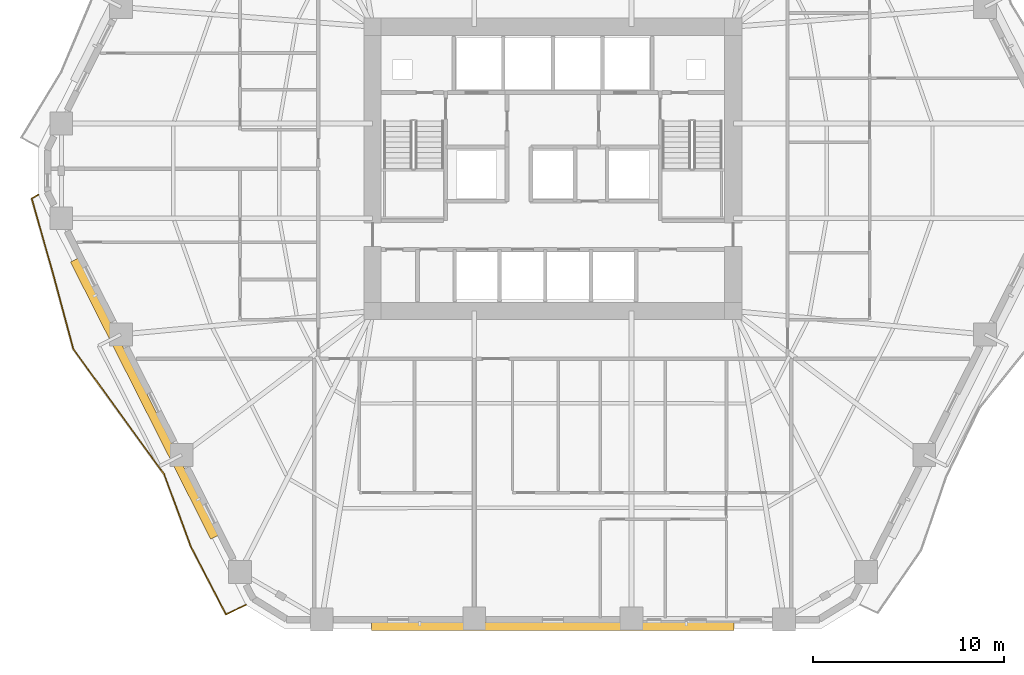
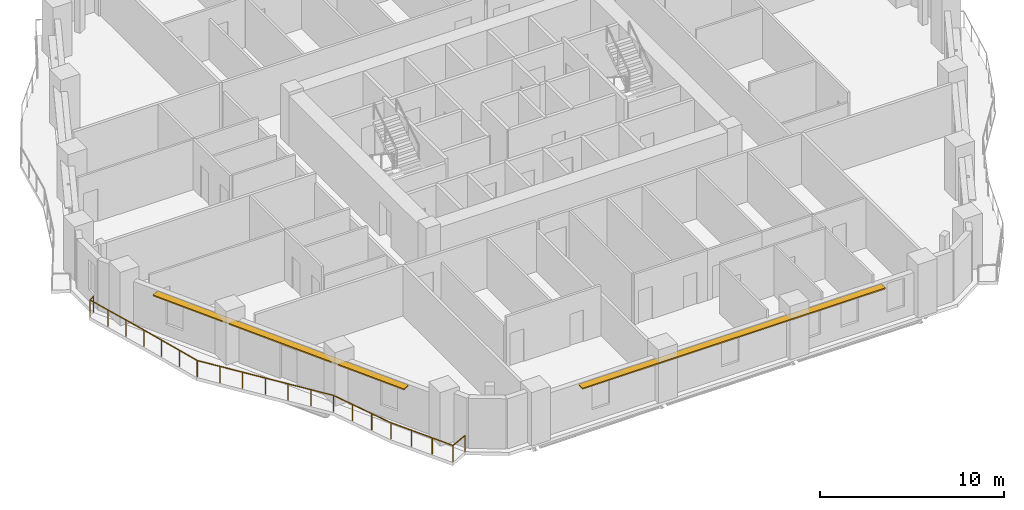
# One storey, part 11 of 14: 2 shading devices, 1 railing.
"""IFC4 building model written with IfcOpenShell, lengths in metres."""

from ifc_helpers import new_model, si_unit, direction, frame, origin, origin_2d, place, context, subcontext, project, spatial, rectangle, extrude, material, layer, layer_set, type_object, element, save


model = new_model("IFC4")

# Units and contexts
model_context = context("Model", 3, precision=1e-05, world=origin(), true_north=direction((0.0, 1.0)))
body_context = subcontext(model_context, "Body", "Model", "MODEL_VIEW")
ifc_project = project(units=[si_unit("LENGTHUNIT", "METRE"), si_unit("AREAUNIT", "SQUARE_METRE"), si_unit("VOLUMEUNIT", "CUBIC_METRE"), si_unit("PLANEANGLEUNIT", "RADIAN"), si_unit("MASSUNIT", "GRAM", prefix="KILO")], contexts=[model_context])

# Site, building, storey
site_placement = place(None, origin())
site = spatial("IfcSite", under=ifc_project, at=site_placement, CompositionType="ELEMENT")
building_placement = place(site_placement, origin())
building = spatial("IfcBuilding", under=site, at=building_placement, Name="Cinnabar Lancet Tower", CompositionType="ELEMENT")
storey_placement = place(building_placement, frame((0.0, 0.0, 35.550048828125)))
storey = spatial("IfcBuildingStorey", under=building, at=storey_placement, Name="L08", CompositionType="ELEMENT", Elevation=35.550048828125)

# Railing
ifc_material_1 = material(Name="Laminated safety glass and bronze stainless steel balustrade", Category="steel")
railing_type = type_object("IfcRailingType", Name="ENV-RLG-BAL-1100", PredefinedType="BALUSTRADE", material=ifc_material_1)
railing_placement = place(storey_placement, frame((5.431884765625, 24.551025390625, 0.0)))
element("IfcRailing", 1, at=railing_placement, inside=storey, type_object=railing_type, Name="L08 Face 6 Wave Balcony Balustrade", PredefinedType="BALUSTRADE", context=body_context, shape_type="SweptSolid", body=[
    extrude(rectangle(XDim=0.048095703125, YDim=0.048095703125, at=origin_2d()), frame((0.0, 0.0, 1.076171875), z_axis=(-0.858921552949, -0.512107182024, 0.0), x_axis=(0.512107182024, -0.858921552949, 0.0)), (0.0, 0.0, 1.0), 0.40625),
    extrude(rectangle(XDim=0.048095703125, YDim=0.048095703125, at=origin_2d()), frame((-0.348876953125, -0.2080078125, 1.076171875), z_axis=(0.272911680282, -0.962039092119, 0.0), x_axis=(0.962039092119, 0.272911680282, 0.0)), (0.0, 0.0, 1.0), 4.08203125),
    extrude(rectangle(XDim=0.048095703125, YDim=0.048095703125, at=origin_2d()), frame((0.76513671875, -4.135009765625, 1.076171875), z_axis=(0.260031247645, -0.965600202075, 0.0), x_axis=(0.965600202075, 0.260031247645, 0.0)), (0.0, 0.0, 1.0), 4.091796875),
    extrude(rectangle(XDim=0.048095703125, YDim=0.048095703125, at=origin_2d()), frame((1.8291015625, -8.0859375, 1.076171875), z_axis=(0.585648802913, -0.8105649139, 0.0), x_axis=(0.8105649139, 0.585648802913, 0.0)), (0.0, 0.0, 1.0), 4.055419921875),
    extrude(rectangle(XDim=0.048095703125, YDim=0.048095703125, at=origin_2d()), frame((4.2041015625, -11.373046875, 1.076171875), z_axis=(0.588182428832, -0.808728279717, 0.0), x_axis=(0.808728279717, 0.588182428832, 0.0)), (0.0, 0.0, 1.0), 4.05810546875),
    extrude(rectangle(XDim=0.048095703125, YDim=0.048095703125, at=origin_2d()), frame((6.591064453125, -14.655029296875, 1.076171875), z_axis=(0.34604468254, -0.938218033127, 0.0), x_axis=(0.938218033127, 0.34604468254, 0.0)), (0.0, 0.0, 1.0), 4.0341796875),
    extrude(rectangle(XDim=0.048095703125, YDim=0.048095703125, at=origin_2d()), frame((7.987060546875, -18.43994140625, 1.076171875), z_axis=(0.460422086673, -0.887700119468, 0.0), x_axis=(0.887700119468, 0.460422086673, 0.0)), (0.0, 0.0, 1.0), 4.007080078125),
    extrude(rectangle(XDim=0.048095703125, YDim=0.048095703125, at=origin_2d()), frame((9.83203125, -21.9970703125, 1.076171875), z_axis=(0.904187644366, 0.427135463027, 0.0), x_axis=(-0.427135463027, 0.904187644366, 0.0)), (0.0, 0.0, 1.0), 1.1591796875),
    extrude(rectangle(XDim=0.0419921875, YDim=0.0419921875, at=origin_2d()), origin(), (0.0, 0.0, 1.0), 1.052001953125),
    extrude(rectangle(XDim=0.0419921875, YDim=0.0419921875, at=origin_2d()), frame((-0.348876953125, -0.2080078125, 0.0)), (0.0, 0.0, 1.0), 1.052001953125),
    extrude(rectangle(XDim=0.0419921875, YDim=0.0419921875, at=origin_2d()), frame((0.0224609375, -1.51708984375, 0.0)), (0.0, 0.0, 1.0), 1.052001953125),
    extrude(rectangle(XDim=0.0419921875, YDim=0.0419921875, at=origin_2d()), frame((0.393798828125, -2.825927734375, 0.0)), (0.0, 0.0, 1.0), 1.052001953125),
    extrude(rectangle(XDim=0.0419921875, YDim=0.0419921875, at=origin_2d()), frame((0.76513671875, -4.135009765625, 0.0)), (0.0, 0.0, 1.0), 1.052001953125),
    extrude(rectangle(XDim=0.0419921875, YDim=0.0419921875, at=origin_2d()), frame((1.119873046875, -5.451904296875, 0.0)), (0.0, 0.0, 1.0), 1.052001953125),
    extrude(rectangle(XDim=0.0419921875, YDim=0.0419921875, at=origin_2d()), frame((1.474365234375, -6.76904296875, 0.0)), (0.0, 0.0, 1.0), 1.052001953125),
    extrude(rectangle(XDim=0.0419921875, YDim=0.0419921875, at=origin_2d()), frame((1.8291015625, -8.0859375, 0.0)), (0.0, 0.0, 1.0), 1.052001953125),
    extrude(rectangle(XDim=0.0419921875, YDim=0.0419921875, at=origin_2d()), frame((2.620849609375, -9.181640625, 0.0)), (0.0, 0.0, 1.0), 1.052001953125),
    extrude(rectangle(XDim=0.0419921875, YDim=0.0419921875, at=origin_2d()), frame((3.412353515625, -10.27734375, 0.0)), (0.0, 0.0, 1.0), 1.052001953125),
    extrude(rectangle(XDim=0.0419921875, YDim=0.0419921875, at=origin_2d()), frame((4.2041015625, -11.373046875, 0.0)), (0.0, 0.0, 1.0), 1.052001953125),
    extrude(rectangle(XDim=0.0419921875, YDim=0.0419921875, at=origin_2d()), frame((4.999755859375, -12.467041015625, 0.0)), (0.0, 0.0, 1.0), 1.052001953125),
    extrude(rectangle(XDim=0.0419921875, YDim=0.0419921875, at=origin_2d()), frame((5.79541015625, -13.56103515625, 0.0)), (0.0, 0.0, 1.0), 1.052001953125),
    extrude(rectangle(XDim=0.0419921875, YDim=0.0419921875, at=origin_2d()), frame((6.591064453125, -14.655029296875, 0.0)), (0.0, 0.0, 1.0), 1.052001953125),
    extrude(rectangle(XDim=0.0419921875, YDim=0.0419921875, at=origin_2d()), frame((7.056396484375, -15.916748046875, 0.0)), (0.0, 0.0, 1.0), 1.052001953125),
    extrude(rectangle(XDim=0.0419921875, YDim=0.0419921875, at=origin_2d()), frame((7.521728515625, -17.17822265625, 0.0)), (0.0, 0.0, 1.0), 1.052001953125),
    extrude(rectangle(XDim=0.0419921875, YDim=0.0419921875, at=origin_2d()), frame((7.987060546875, -18.43994140625, 0.0)), (0.0, 0.0, 1.0), 1.052001953125),
    extrude(rectangle(XDim=0.0419921875, YDim=0.0419921875, at=origin_2d()), frame((8.60205078125, -19.625732421875, 0.0)), (0.0, 0.0, 1.0), 1.052001953125),
    extrude(rectangle(XDim=0.0419921875, YDim=0.0419921875, at=origin_2d()), frame((9.217041015625, -20.811279296875, 0.0)), (0.0, 0.0, 1.0), 1.052001953125),
    extrude(rectangle(XDim=0.0419921875, YDim=0.0419921875, at=origin_2d()), frame((9.83203125, -21.9970703125, 0.0)), (0.0, 0.0, 1.0), 1.052001953125),
    extrude(rectangle(XDim=0.0419921875, YDim=0.0419921875, at=origin_2d()), frame((10.880126953125, -21.501953125, 0.0)), (0.0, 0.0, 1.0), 1.052001953125),
])

# Shading devices
ifc_material_2 = material(Name="Pale limestone architectural aluminium sunshade", Category="masonry")
ifc_layer = layer(ifc_material_2, 0.080078125)
ifc_layer_set = layer_set([ifc_layer], Name="Pale limestone architectural aluminium sunshade")
shading_device_type = type_object("IfcShadingDeviceType", Name="ENV-SHD-LVR-450", PredefinedType="JALOUSIE", material=ifc_layer_set)
shading_device_1_placement = place(storey_placement, frame((32.39990234375, 1.929931640625, 2.639892578125), z_axis=(0.0, 0.0, 1.0), x_axis=(1.0, 0.0, 0.0)))
element("IfcShadingDevice", 2, at=shading_device_1_placement, inside=storey, type_object=shading_device_type, Name="L08 Face 1 Horizontal Sunshade Canopy", PredefinedType="JALOUSIE", context=body_context, shape_type="SweptSolid", body=[
    extrude(rectangle(XDim=18.993896484375, YDim=0.449951171875, at=origin_2d()), origin(), (0.0, 0.0, 1.0), 0.080078125),
])
shading_device_2_placement = place(storey_placement, frame((10.989990234375, 13.85595703125, 2.639892578125), z_axis=(0.0, 0.0, 1.0), x_axis=(0.451500573218, -0.892270829056, 0.0)))
element("IfcShadingDevice", 3, at=shading_device_2_placement, inside=storey, type_object=shading_device_type, Name="L08 Face 6 Horizontal Sunshade Canopy", PredefinedType="JALOUSIE", context=body_context, shape_type="SweptSolid", body=[
    extrude(rectangle(XDim=16.279052734375, YDim=0.449951171875, at=origin_2d()), origin(), (0.0, 0.0, 1.0), 0.080078125),
])

save(model, "model.ifc")
